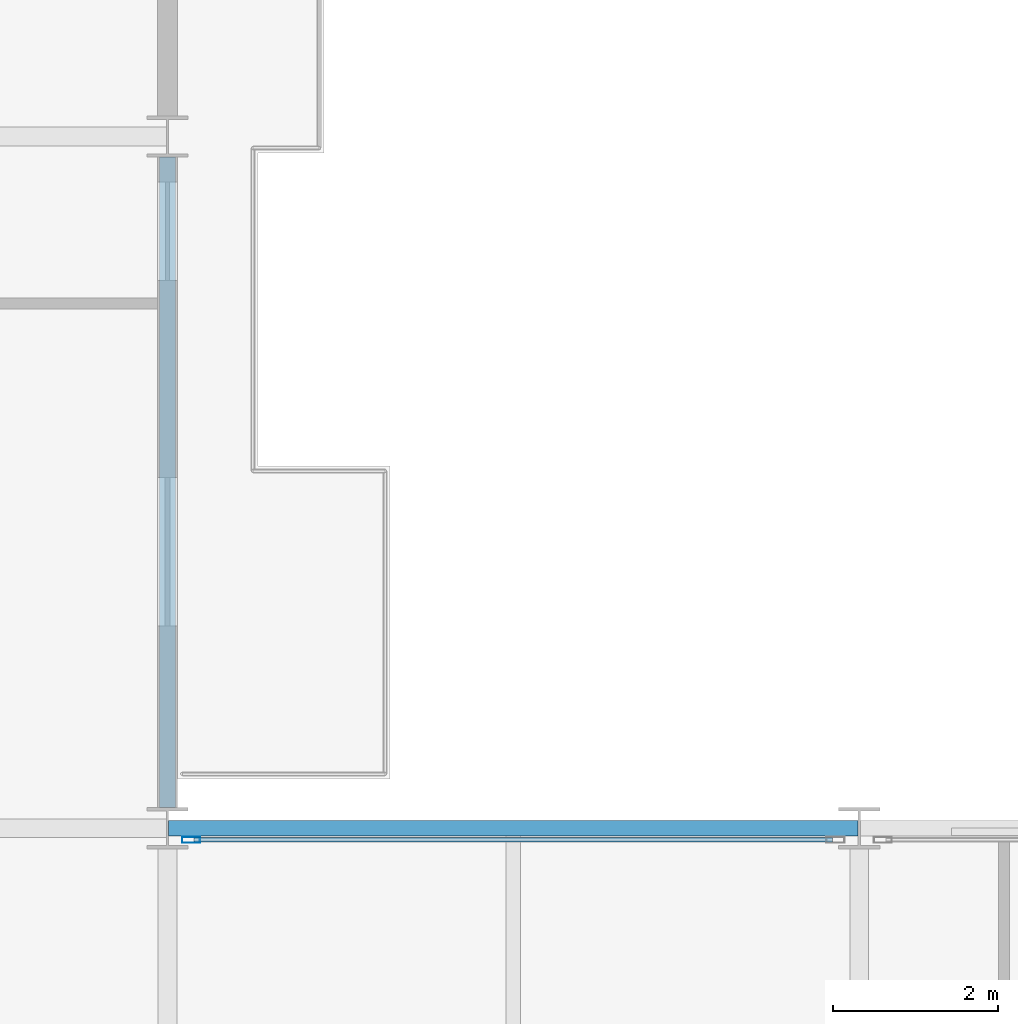
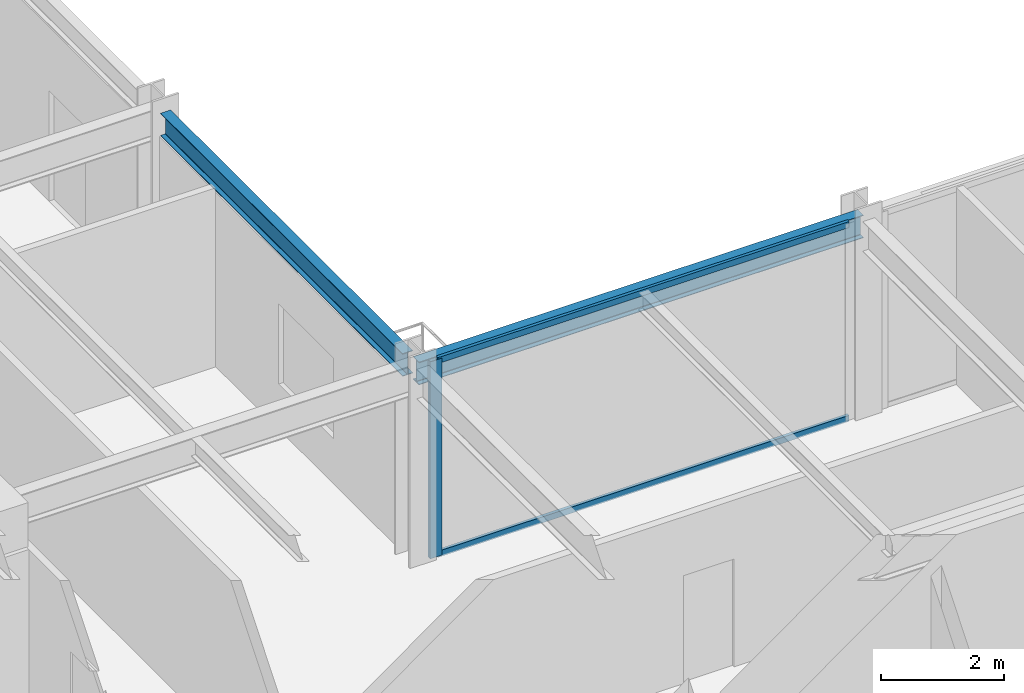
# One storey, part 8 of 24: 3 members, 2 beams, 1 element without a shape of its own.
"""IFC4 building model written with IfcOpenShell, lengths in metres."""

from ifc_helpers import new_model, si_unit, direction, frame, origin, origin_2d, place, context, subcontext, project, spatial, hollow_rectangle, i_section, extrude, material, layer, layer_set, material_profile, profile_set, type_object, element, aggregate, save


model = new_model("IFC4")

# Units and contexts
model_context = context("Model", 3, precision=1e-05, world=origin(), true_north=direction((0.0, 1.0)))
body_context = subcontext(model_context, "Body", "Model", "MODEL_VIEW")
ifc_project = project(units=[si_unit("LENGTHUNIT", "METRE"), si_unit("AREAUNIT", "SQUARE_METRE"), si_unit("VOLUMEUNIT", "CUBIC_METRE"), si_unit("PLANEANGLEUNIT", "RADIAN"), si_unit("MASSUNIT", "GRAM", prefix="KILO")], contexts=[model_context])

# Site, building, storey
site_placement = place(None, origin())
site = spatial("IfcSite", under=ifc_project, at=site_placement, CompositionType="ELEMENT")
building_placement = place(site_placement, origin())
building = spatial("IfcBuilding", under=site, at=building_placement, Name="Nerrivon Quay Data Exchange", CompositionType="ELEMENT")
storey_placement = place(building_placement, frame((0.0, 0.0, 33.199951171875)))
storey = spatial("IfcBuildingStorey", under=building, at=storey_placement, Name="L07", CompositionType="ELEMENT", Elevation=33.199951171875)

# Beams
ifc_material_1 = material(Name="Steel Grade 350", Category="steel")
ifc_material_profile_1 = material_profile(ifc_material_1, i_section(OverallWidth=0.18994140625, OverallDepth=0.4541015625, WebThickness=0.008544921875, FlangeThickness=0.0126953125, FilletRadius=0.011474609375, at=origin_2d()), Name="460UB67.1")
ifc_profile_set_1 = profile_set([ifc_material_profile_1], Name="Steel Grade 350")
beam_type = type_object("IfcBeamType", Name="BM-SP1-460UB67", PredefinedType="SPANDREL", material=ifc_profile_set_1)
beam_1_placement = place(storey_placement, frame((25.214111328125, 25.199951171875, 3.697998046875), z_axis=(1.0, 0.0, 0.0), x_axis=(0.0, 1.0, 0.0)))
element("IfcBeam", 1, at=beam_1_placement, inside=storey, type_object=beam_type, Name="L07 EW Girder Y=25.2 (25.2..33.6)", PredefinedType="SPANDREL", context=body_context, shape_type="SweptSolid", body=[
    extrude(i_section(OverallWidth=0.18994140625, OverallDepth=0.4541015625, WebThickness=0.008544921875, FlangeThickness=0.0126953125, FilletRadius=0.011474609375, at=origin_2d()), origin(), (0.0, 0.0, 1.0), 8.371826171875),
])
beam_2_placement = place(storey_placement, frame((25.199951171875, 25.449951171875, 3.697998046875), z_axis=(0.0, 1.0, 0.0), x_axis=(-1.0, 0.0, 0.0)))
element("IfcBeam", 2, at=beam_2_placement, inside=storey, type_object=beam_type, Name="L07 NS Girder X=25.2 (25.2..33.6)", PredefinedType="SPANDREL", context=body_context, shape_type="SweptSolid", body=[
    extrude(i_section(OverallWidth=0.18994140625, OverallDepth=0.4541015625, WebThickness=0.008544921875, FlangeThickness=0.0126953125, FilletRadius=0.011474609375, at=origin_2d()), origin(), (0.0, 0.0, 1.0), 7.900146484375),
])

# Curtain wall, members
ifc_material_2 = material(Name="Anodised aluminium 6063-T6", Category="aluminium")
ifc_layer = layer(ifc_material_2, 0.219970703125)
ifc_layer_set = layer_set([ifc_layer], Name="Anodised aluminium 6063-T6")
curtain_wall_type = type_object("IfcCurtainWallType", Name="CW-SYS-01", PredefinedType="NOTDEFINED", material=ifc_layer_set)
curtain_wall_placement = place(storey_placement, origin())
curtain_wall = element("IfcCurtainWall", 3, at=curtain_wall_placement, inside=storey, type_object=curtain_wall_type, Name="L07 Unitised Curtain Wall 28", PredefinedType="NOTDEFINED")
ifc_material_profile_2 = material_profile(ifc_material_2, hollow_rectangle(XDim=0.074951171875, YDim=0.219970703125, WallThickness=0.00390625, at=origin_2d()), Name="ALU-MULL-220x75")
ifc_profile_set_2 = profile_set([ifc_material_profile_2], Name="Anodised aluminium 6063-T6")
member_type_1 = type_object("IfcMemberType", Name="CWM-220x75", PredefinedType="MULLION", material=ifc_profile_set_2)
member_1_placement = place(storey_placement, frame((25.487548828125, 25.06005859375, 0.0), z_axis=(0.0, 0.0, 1.0), x_axis=(0.0, 1.0, 0.0)))
member_1 = element("IfcMember", 4, at=member_1_placement, type_object=member_type_1, Name="CW01 mullion 1", PredefinedType="MULLION", context=body_context, shape_type="SweptSolid", body=[
    extrude(hollow_rectangle(XDim=0.074951171875, YDim=0.219970703125, WallThickness=0.00390625, at=origin_2d()), origin(), (0.0, 0.0, 1.0), 3.925048828125),
])
ifc_material_profile_3 = material_profile(ifc_material_2, hollow_rectangle(XDim=0.06005859375, YDim=0.1201171875, WallThickness=0.003173828125, at=origin_2d()), Name="ALU-TRAN-120x60")
ifc_profile_set_3 = profile_set([ifc_material_profile_3], Name="Anodised aluminium 6063-T6")
member_type_2 = type_object("IfcMemberType", Name="CWT-120x60", PredefinedType="USERDEFINED", material=ifc_profile_set_3)
member_2_placement = place(storey_placement, frame((25.52490234375, 25.06005859375, 0.032470703125), z_axis=(1.0, 0.0, 0.0), x_axis=(0.0, 1.0, 0.0)))
member_2 = element("IfcMember", 5, at=member_2_placement, type_object=member_type_2, Name="CW01 transom 1.1", ObjectType="TRANSOM", PredefinedType="USERDEFINED", context=body_context, shape_type="SweptSolid", body=[
    extrude(hollow_rectangle(XDim=0.06005859375, YDim=0.1201171875, WallThickness=0.003173828125, at=origin_2d()), origin(), (0.0, 0.0, 1.0), 7.75),
])
member_3_placement = place(storey_placement, frame((25.52490234375, 25.06005859375, 3.892578125), z_axis=(1.0, 0.0, 0.0), x_axis=(0.0, 1.0, 0.0)))
member_3 = element("IfcMember", 6, at=member_3_placement, type_object=member_type_2, Name="CW01 transom 1.2", ObjectType="TRANSOM", PredefinedType="USERDEFINED", context=body_context, shape_type="SweptSolid", body=[
    extrude(hollow_rectangle(XDim=0.06005859375, YDim=0.1201171875, WallThickness=0.003173828125, at=origin_2d()), origin(), (0.0, 0.0, 1.0), 7.75),
])
aggregate(curtain_wall, [member_1, member_2, member_3])

save(model, "model.ifc")
